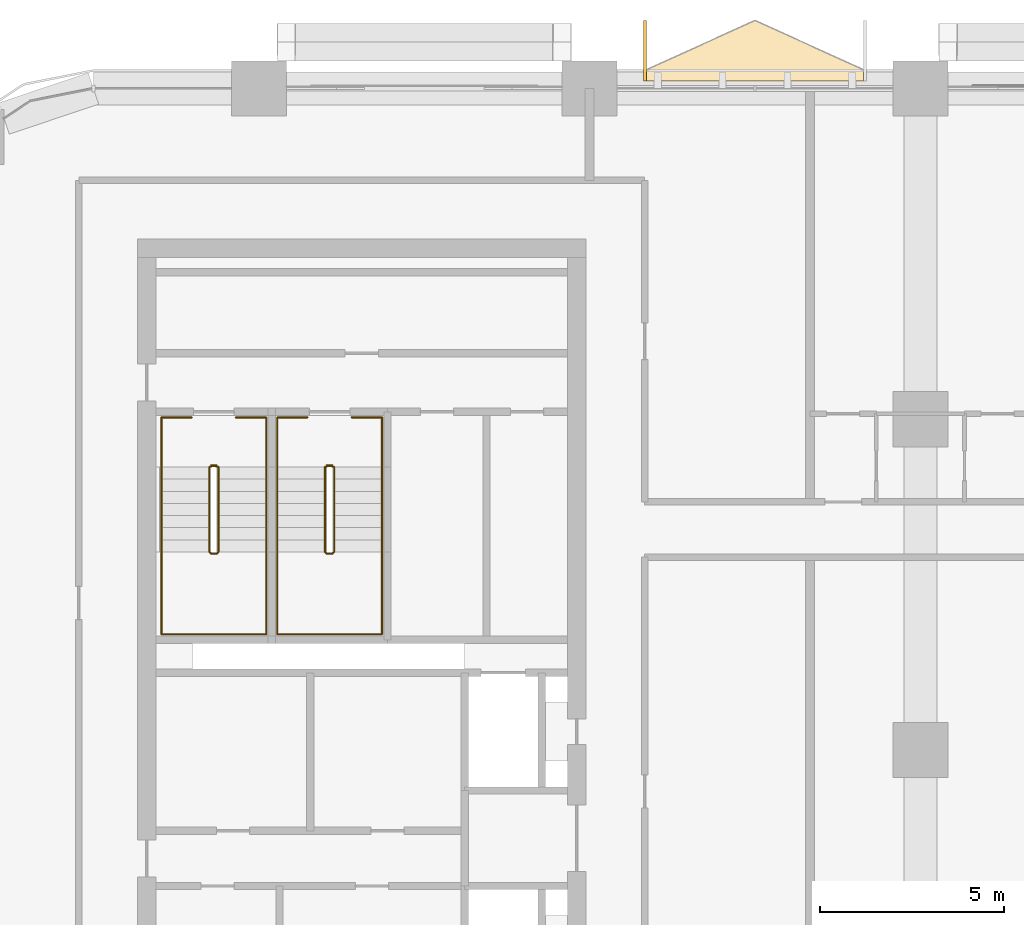
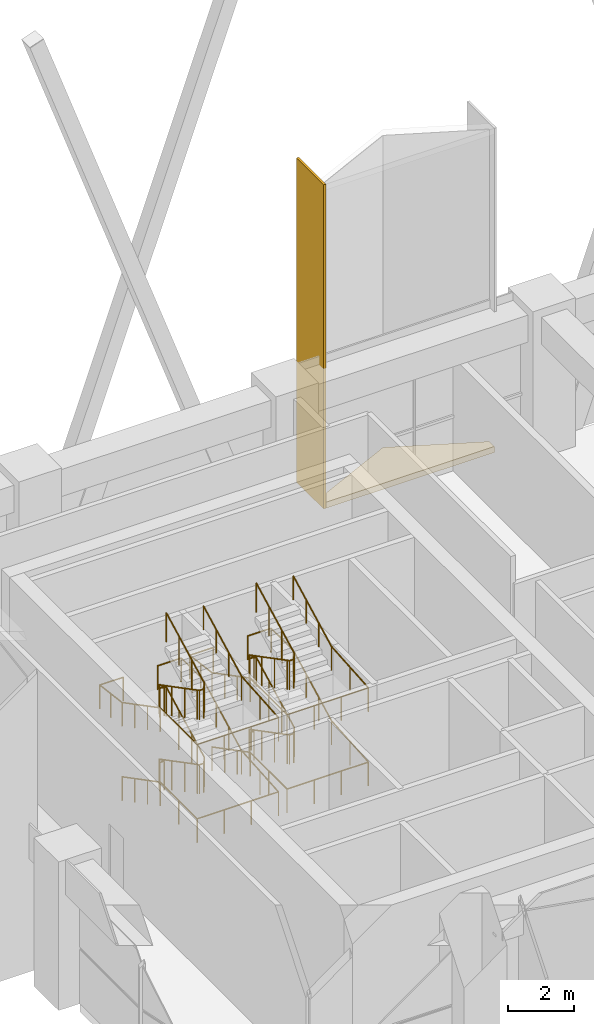
# One storey, part 20 of 22: 6 railings, 2 coverings.
"""IFC4 building model written with IfcOpenShell, lengths in metres."""

from ifc_helpers import new_model, si_unit, direction, frame, origin, origin_2d, place, context, subcontext, project, spatial, polyline, circle, outline, extrude, material, layer, layer_set, type_object, element, save


model = new_model("IFC4")

# Units and contexts
model_context = context("Model", 3, precision=1e-05, world=origin(), true_north=direction((0.0, 1.0)))
body_context = subcontext(model_context, "Body", "Model", "MODEL_VIEW")
ifc_project = project(units=[si_unit("LENGTHUNIT", "METRE"), si_unit("AREAUNIT", "SQUARE_METRE"), si_unit("VOLUMEUNIT", "CUBIC_METRE"), si_unit("PLANEANGLEUNIT", "RADIAN"), si_unit("MASSUNIT", "GRAM", prefix="KILO")], contexts=[model_context])

# Site, building, storey
site_placement = place(None, origin())
site = spatial("IfcSite", under=ifc_project, at=site_placement, CompositionType="ELEMENT")
building_placement = place(site_placement, origin())
building = spatial("IfcBuilding", under=site, at=building_placement, Name="Tessera Arch", CompositionType="ELEMENT")
storey_placement = place(building_placement, frame((0.0, 0.0, 129.39990234375)))
storey = spatial("IfcBuildingStorey", under=building, at=storey_placement, Name="L30", CompositionType="ELEMENT", Elevation=129.39990234375)

# Railings
ifc_material_1 = material(Name="Painted steel balustrade", Category="steel")
railing_type_1 = type_object("IfcRailingType", Name="Stair guard 1100", PredefinedType="GUARDRAIL", material=ifc_material_1)
railing_1_placement = place(storey_placement, frame((7.699951171875, 43.75, 0.0)))
element("IfcRailing", 1, at=railing_1_placement, inside=storey, type_object=railing_type_1, Name="L30 S2a stair guard 1", PredefinedType="GUARDRAIL", context=body_context, shape_type="SweptSolid", body=[
    extrude(circle(Radius=0.02392578125, at=origin_2d()), frame((-0.00390625, 0.0, 1.076171875), z_axis=(1.0, 0.0, 0.0), x_axis=(0.0, 1.0, 0.0)), (0.0, 0.0, 1.0), 0.158203125),
    extrude(circle(Radius=0.02392578125, at=origin_2d()), frame((0.153076171875, 0.000732421875, 1.073486328125), z_axis=(-0.745441916174, -0.186360479043, 0.6399891573), x_axis=(0.242535625036, -0.970142500145, 0.0)), (0.0, 0.0, 1.0), 0.276611328125),
    extrude(circle(Radius=0.02392578125, at=origin_2d()), frame((-0.050048828125, -0.04638671875, 1.24609375), z_axis=(0.0, -0.886918884468, 0.461925202141), x_axis=(1.0, 0.0, 0.0)), (0.0, 0.0, 1.0), 2.612548828125),
    extrude(circle(Radius=0.02392578125, at=origin_2d()), frame((-0.052978515625, -2.357177734375, 2.451171875), z_axis=(0.708833529934, -0.705375805398, 0.0), x_axis=(0.705375805398, 0.708833529934, 0.0)), (0.0, 0.0, 1.0), 0.07861328125),
    extrude(circle(Radius=0.02392578125, at=origin_2d()), frame((-0.00390625, -2.409912109375, 2.451171875), z_axis=(1.0, 0.0, 0.0), x_axis=(0.0, 1.0, 0.0)), (0.0, 0.0, 1.0), 0.158203125),
    extrude(circle(Radius=0.02392578125, at=origin_2d()), frame((0.149169921875, -2.410888671875, 2.447265625), z_axis=(0.268131537743, 0.268131537743, 0.92531667927), x_axis=(-0.707106781187, 0.707106781187, 0.0)), (0.0, 0.0, 1.0), 0.19384765625),
    extrude(circle(Radius=0.02392578125, at=origin_2d()), frame((0.199951171875, -2.36376953125, 2.62109375), z_axis=(0.0, 0.886918884468, 0.461925202141), x_axis=(-1.0, 0.0, 0.0)), (0.0, 0.0, 1.0), 2.612548828125),
    extrude(circle(Radius=0.02392578125, at=origin_2d()), frame((0.203857421875, -0.051025390625, 3.826171875), z_axis=(-0.970072785993, 0.242814311512, 0.0), x_axis=(-0.242814311512, -0.970072785993, 0.0)), (0.0, 0.0, 1.0), 0.214111328125),
    extrude(circle(Radius=0.02392578125, at=origin_2d()), frame((-0.00390625, 0.0, 3.826171875), z_axis=(1.0, 0.0, 0.0), x_axis=(0.0, 1.0, 0.0)), (0.0, 0.0, 1.0), 0.158203125),
    extrude(circle(Radius=0.02392578125, at=origin_2d()), frame((0.153076171875, 0.000732421875, 3.823486328125), z_axis=(-0.745441916174, -0.186360479043, 0.6399891573), x_axis=(0.242535625036, -0.970142500145, 0.0)), (0.0, 0.0, 1.0), 0.276611328125),
    extrude(circle(Radius=0.02392578125, at=origin_2d()), frame((-0.050048828125, -0.04638671875, 3.99609375), z_axis=(0.0, -0.886918884468, 0.461925202141), x_axis=(1.0, 0.0, 0.0)), (0.0, 0.0, 1.0), 2.612548828125),
    extrude(circle(Radius=0.02392578125, at=origin_2d()), frame((-0.052978515625, -2.357177734375, 5.201171875), z_axis=(0.708833529934, -0.705375805398, 0.0), x_axis=(0.705375805398, 0.708833529934, 0.0)), (0.0, 0.0, 1.0), 0.07861328125),
    extrude(circle(Radius=0.02392578125, at=origin_2d()), frame((-0.00390625, -2.409912109375, 5.201171875), z_axis=(1.0, 0.0, 0.0), x_axis=(0.0, 1.0, 0.0)), (0.0, 0.0, 1.0), 0.158203125),
    extrude(circle(Radius=0.02392578125, at=origin_2d()), frame((0.149169921875, -2.410888671875, 5.197265625), z_axis=(0.268131537743, 0.268131537743, 0.92531667927), x_axis=(-0.707106781187, 0.707106781187, 0.0)), (0.0, 0.0, 1.0), 0.19384765625),
    extrude(circle(Radius=0.02392578125, at=origin_2d()), frame((0.199951171875, -2.36376953125, 5.37109375), z_axis=(0.0, 0.886918884468, 0.461925202141), x_axis=(-1.0, 0.0, 0.0)), (0.0, 0.0, 1.0), 2.612548828125),
    extrude(circle(Radius=0.02099609375, at=origin_2d()), origin(), (0.0, 0.0, 1.0), 1.06396484375),
    extrude(circle(Radius=0.02099609375, at=origin_2d()), frame((0.150146484375, 0.0, 0.0)), (0.0, 0.0, 1.0), 1.06396484375),
    extrude(circle(Radius=0.02099609375, at=origin_2d()), frame((-0.050048828125, -0.050048828125, 0.171875)), (0.0, 0.0, 1.0), 1.06396484375),
    extrude(circle(Radius=0.02099609375, at=origin_2d()), frame((-0.050048828125, -0.820068359375, 0.572998046875)), (0.0, 0.0, 1.0), 1.06396484375),
    extrude(circle(Radius=0.02099609375, at=origin_2d()), frame((-0.050048828125, -1.590087890625, 0.973876953125)), (0.0, 0.0, 1.0), 1.06396484375),
    extrude(circle(Radius=0.02099609375, at=origin_2d()), frame((-0.050048828125, -2.360107421875, 1.375)), (0.0, 0.0, 1.0), 1.06396484375),
    extrude(circle(Radius=0.02099609375, at=origin_2d()), frame((0.0, -2.409912109375, 1.375)), (0.0, 0.0, 1.0), 1.06396484375),
    extrude(circle(Radius=0.02099609375, at=origin_2d()), frame((0.150146484375, -2.409912109375, 1.375)), (0.0, 0.0, 1.0), 1.06396484375),
    extrude(circle(Radius=0.02099609375, at=origin_2d()), frame((0.199951171875, -2.360107421875, 1.546875)), (0.0, 0.0, 1.0), 1.06396484375),
    extrude(circle(Radius=0.02099609375, at=origin_2d()), frame((0.199951171875, -1.590087890625, 1.947998046875)), (0.0, 0.0, 1.0), 1.06396484375),
    extrude(circle(Radius=0.02099609375, at=origin_2d()), frame((0.199951171875, -0.820068359375, 2.348876953125)), (0.0, 0.0, 1.0), 1.06396484375),
    extrude(circle(Radius=0.02099609375, at=origin_2d()), frame((0.199951171875, -0.050048828125, 2.75)), (0.0, 0.0, 1.0), 1.06396484375),
    extrude(circle(Radius=0.02099609375, at=origin_2d()), frame((0.0, 0.0, 2.75)), (0.0, 0.0, 1.0), 1.06396484375),
    extrude(circle(Radius=0.02099609375, at=origin_2d()), frame((0.150146484375, 0.0, 2.75)), (0.0, 0.0, 1.0), 1.06396484375),
    extrude(circle(Radius=0.02099609375, at=origin_2d()), frame((-0.050048828125, -0.050048828125, 2.921875)), (0.0, 0.0, 1.0), 1.06396484375),
    extrude(circle(Radius=0.02099609375, at=origin_2d()), frame((-0.050048828125, -0.820068359375, 3.322998046875)), (0.0, 0.0, 1.0), 1.06396484375),
    extrude(circle(Radius=0.02099609375, at=origin_2d()), frame((-0.050048828125, -1.590087890625, 3.723876953125)), (0.0, 0.0, 1.0), 1.06396484375),
    extrude(circle(Radius=0.02099609375, at=origin_2d()), frame((-0.050048828125, -2.360107421875, 4.125)), (0.0, 0.0, 1.0), 1.06396484375),
    extrude(circle(Radius=0.02099609375, at=origin_2d()), frame((0.0, -2.409912109375, 4.125)), (0.0, 0.0, 1.0), 1.06396484375),
    extrude(circle(Radius=0.02099609375, at=origin_2d()), frame((0.150146484375, -2.409912109375, 4.125)), (0.0, 0.0, 1.0), 1.06396484375),
    extrude(circle(Radius=0.02099609375, at=origin_2d()), frame((0.199951171875, -2.360107421875, 4.296875)), (0.0, 0.0, 1.0), 1.06396484375),
    extrude(circle(Radius=0.02099609375, at=origin_2d()), frame((0.199951171875, -1.590087890625, 4.697998046875)), (0.0, 0.0, 1.0), 1.06396484375),
    extrude(circle(Radius=0.02099609375, at=origin_2d()), frame((0.199951171875, -0.820068359375, 5.098876953125)), (0.0, 0.0, 1.0), 1.06396484375),
    extrude(circle(Radius=0.02099609375, at=origin_2d()), frame((0.199951171875, -0.050048828125, 5.5)), (0.0, 0.0, 1.0), 1.06396484375),
])
railing_2_placement = place(storey_placement, frame((10.85009765625, 43.75, 0.0)))
element("IfcRailing", 2, at=railing_2_placement, inside=storey, type_object=railing_type_1, Name="L30 S2b stair guard 1", PredefinedType="GUARDRAIL", context=body_context, shape_type="SweptSolid", body=[
    extrude(circle(Radius=0.02392578125, at=origin_2d()), frame((-0.00390625, 0.0, 1.076171875), z_axis=(1.0, 0.0, 0.0), x_axis=(0.0, 1.0, 0.0)), (0.0, 0.0, 1.0), 0.157958984375),
    extrude(circle(Radius=0.02392578125, at=origin_2d()), frame((0.15283203125, 0.000732421875, 1.073486328125), z_axis=(-0.745037588186, -0.186486819998, 0.640423030626), x_axis=(0.242814311512, -0.970072785993, 0.0)), (0.0, 0.0, 1.0), 0.2763671875),
    extrude(circle(Radius=0.02392578125, at=origin_2d()), frame((-0.050048828125, -0.04638671875, 1.24609375), z_axis=(0.0, -0.886918884468, 0.461925202141), x_axis=(1.0, 0.0, 0.0)), (0.0, 0.0, 1.0), 2.612548828125),
    extrude(circle(Radius=0.02392578125, at=origin_2d()), frame((-0.052978515625, -2.357177734375, 2.451171875), z_axis=(0.708833529934, -0.705375805398, 0.0), x_axis=(0.705375805398, 0.708833529934, 0.0)), (0.0, 0.0, 1.0), 0.07861328125),
    extrude(circle(Radius=0.02392578125, at=origin_2d()), frame((-0.00390625, -2.409912109375, 2.451171875), z_axis=(1.0, 0.0, 0.0), x_axis=(0.0, 1.0, 0.0)), (0.0, 0.0, 1.0), 0.157958984375),
    extrude(circle(Radius=0.02392578125, at=origin_2d()), frame((0.14892578125, -2.410888671875, 2.447265625), z_axis=(0.26935076646, 0.268036860282, 0.924989949209), x_axis=(-0.705375805398, 0.708833529934, 0.0)), (0.0, 0.0, 1.0), 0.19384765625),
    extrude(circle(Radius=0.02392578125, at=origin_2d()), frame((0.199951171875, -2.36376953125, 2.62109375), z_axis=(0.0, 0.886918884468, 0.461925202141), x_axis=(-1.0, 0.0, 0.0)), (0.0, 0.0, 1.0), 2.612548828125),
    extrude(circle(Radius=0.02392578125, at=origin_2d()), frame((0.203857421875, -0.051025390625, 3.826171875), z_axis=(-0.970072785993, 0.242814311512, 0.0), x_axis=(-0.242814311512, -0.970072785993, 0.0)), (0.0, 0.0, 1.0), 0.214111328125),
    extrude(circle(Radius=0.02392578125, at=origin_2d()), frame((-0.00390625, 0.0, 3.826171875), z_axis=(1.0, 0.0, 0.0), x_axis=(0.0, 1.0, 0.0)), (0.0, 0.0, 1.0), 0.157958984375),
    extrude(circle(Radius=0.02392578125, at=origin_2d()), frame((0.15283203125, 0.000732421875, 3.823486328125), z_axis=(-0.745037588186, -0.186486819998, 0.640423030626), x_axis=(0.242814311512, -0.970072785993, 0.0)), (0.0, 0.0, 1.0), 0.2763671875),
    extrude(circle(Radius=0.02392578125, at=origin_2d()), frame((-0.050048828125, -0.04638671875, 3.99609375), z_axis=(0.0, -0.886918884468, 0.461925202141), x_axis=(1.0, 0.0, 0.0)), (0.0, 0.0, 1.0), 2.612548828125),
    extrude(circle(Radius=0.02392578125, at=origin_2d()), frame((-0.052978515625, -2.357177734375, 5.201171875), z_axis=(0.708833529934, -0.705375805398, 0.0), x_axis=(0.705375805398, 0.708833529934, 0.0)), (0.0, 0.0, 1.0), 0.07861328125),
    extrude(circle(Radius=0.02392578125, at=origin_2d()), frame((-0.00390625, -2.409912109375, 5.201171875), z_axis=(1.0, 0.0, 0.0), x_axis=(0.0, 1.0, 0.0)), (0.0, 0.0, 1.0), 0.157958984375),
    extrude(circle(Radius=0.02392578125, at=origin_2d()), frame((0.14892578125, -2.410888671875, 5.197265625), z_axis=(0.26935076646, 0.268036860282, 0.924989949209), x_axis=(-0.705375805398, 0.708833529934, 0.0)), (0.0, 0.0, 1.0), 0.19384765625),
    extrude(circle(Radius=0.02392578125, at=origin_2d()), frame((0.199951171875, -2.36376953125, 5.37109375), z_axis=(0.0, 0.886918884468, 0.461925202141), x_axis=(-1.0, 0.0, 0.0)), (0.0, 0.0, 1.0), 2.612548828125),
    extrude(circle(Radius=0.02099609375, at=origin_2d()), origin(), (0.0, 0.0, 1.0), 1.06396484375),
    extrude(circle(Radius=0.02099609375, at=origin_2d()), frame((0.14990234375, 0.0, 0.0)), (0.0, 0.0, 1.0), 1.06396484375),
    extrude(circle(Radius=0.02099609375, at=origin_2d()), frame((-0.050048828125, -0.050048828125, 0.171875)), (0.0, 0.0, 1.0), 1.06396484375),
    extrude(circle(Radius=0.02099609375, at=origin_2d()), frame((-0.050048828125, -0.820068359375, 0.572998046875)), (0.0, 0.0, 1.0), 1.06396484375),
    extrude(circle(Radius=0.02099609375, at=origin_2d()), frame((-0.050048828125, -1.590087890625, 0.973876953125)), (0.0, 0.0, 1.0), 1.06396484375),
    extrude(circle(Radius=0.02099609375, at=origin_2d()), frame((-0.050048828125, -2.360107421875, 1.375)), (0.0, 0.0, 1.0), 1.06396484375),
    extrude(circle(Radius=0.02099609375, at=origin_2d()), frame((0.0, -2.409912109375, 1.375)), (0.0, 0.0, 1.0), 1.06396484375),
    extrude(circle(Radius=0.02099609375, at=origin_2d()), frame((0.14990234375, -2.409912109375, 1.375)), (0.0, 0.0, 1.0), 1.06396484375),
    extrude(circle(Radius=0.02099609375, at=origin_2d()), frame((0.199951171875, -2.360107421875, 1.546875)), (0.0, 0.0, 1.0), 1.06396484375),
    extrude(circle(Radius=0.02099609375, at=origin_2d()), frame((0.199951171875, -1.590087890625, 1.947998046875)), (0.0, 0.0, 1.0), 1.06396484375),
    extrude(circle(Radius=0.02099609375, at=origin_2d()), frame((0.199951171875, -0.820068359375, 2.348876953125)), (0.0, 0.0, 1.0), 1.06396484375),
    extrude(circle(Radius=0.02099609375, at=origin_2d()), frame((0.199951171875, -0.050048828125, 2.75)), (0.0, 0.0, 1.0), 1.06396484375),
    extrude(circle(Radius=0.02099609375, at=origin_2d()), frame((0.0, 0.0, 2.75)), (0.0, 0.0, 1.0), 1.06396484375),
    extrude(circle(Radius=0.02099609375, at=origin_2d()), frame((0.14990234375, 0.0, 2.75)), (0.0, 0.0, 1.0), 1.06396484375),
    extrude(circle(Radius=0.02099609375, at=origin_2d()), frame((-0.050048828125, -0.050048828125, 2.921875)), (0.0, 0.0, 1.0), 1.06396484375),
    extrude(circle(Radius=0.02099609375, at=origin_2d()), frame((-0.050048828125, -0.820068359375, 3.322998046875)), (0.0, 0.0, 1.0), 1.06396484375),
    extrude(circle(Radius=0.02099609375, at=origin_2d()), frame((-0.050048828125, -1.590087890625, 3.723876953125)), (0.0, 0.0, 1.0), 1.06396484375),
    extrude(circle(Radius=0.02099609375, at=origin_2d()), frame((-0.050048828125, -2.360107421875, 4.125)), (0.0, 0.0, 1.0), 1.06396484375),
    extrude(circle(Radius=0.02099609375, at=origin_2d()), frame((0.0, -2.409912109375, 4.125)), (0.0, 0.0, 1.0), 1.06396484375),
    extrude(circle(Radius=0.02099609375, at=origin_2d()), frame((0.14990234375, -2.409912109375, 4.125)), (0.0, 0.0, 1.0), 1.06396484375),
    extrude(circle(Radius=0.02099609375, at=origin_2d()), frame((0.199951171875, -2.360107421875, 4.296875)), (0.0, 0.0, 1.0), 1.06396484375),
    extrude(circle(Radius=0.02099609375, at=origin_2d()), frame((0.199951171875, -1.590087890625, 4.697998046875)), (0.0, 0.0, 1.0), 1.06396484375),
    extrude(circle(Radius=0.02099609375, at=origin_2d()), frame((0.199951171875, -0.820068359375, 5.098876953125)), (0.0, 0.0, 1.0), 1.06396484375),
    extrude(circle(Radius=0.02099609375, at=origin_2d()), frame((0.199951171875, -0.050048828125, 5.5)), (0.0, 0.0, 1.0), 1.06396484375),
])
ifc_material_2 = material(Name="Painted steel handrail", Category="steel")
railing_type_2 = type_object("IfcRailingType", Name="Stair handrail 900", PredefinedType="HANDRAIL", material=ifc_material_2)
railing_3_placement = place(storey_placement, frame((6.35009765625, 43.699951171875, 0.171875)))
element("IfcRailing", 3, at=railing_3_placement, inside=storey, type_object=railing_type_2, Name="L30 S2a stair handrail", PredefinedType="HANDRAIL", context=body_context, shape_type="SweptSolid", body=[
    extrude(circle(Radius=0.02392578125, at=origin_2d()), frame((0.0, 0.003662109375, 0.8740234375), z_axis=(0.0, -0.886918884468, 0.461925202141), x_axis=(1.0, 0.0, 0.0)), (0.0, 0.0, 1.0), 2.612548828125),
    extrude(circle(Radius=0.02392578125, at=origin_2d()), frame((0.0, -2.30615234375, 2.0791015625), z_axis=(0.0, -1.0, 0.0), x_axis=(1.0, 0.0, 0.0)), (0.0, 0.0, 1.0), 2.248046875),
    extrude(circle(Radius=0.02392578125, at=origin_2d()), frame((-0.00390625, -4.550048828125, 2.0791015625), z_axis=(1.0, 0.0, 0.0), x_axis=(0.0, 1.0, 0.0)), (0.0, 0.0, 1.0), 2.85791015625),
    extrude(circle(Radius=0.02392578125, at=origin_2d()), frame((2.849853515625, -4.553955078125, 2.07861328125), z_axis=(0.0, 0.997069169916, 0.076505361921), x_axis=(-1.0, 0.0, 0.0)), (0.0, 0.0, 1.0), 2.254638671875),
    extrude(circle(Radius=0.02392578125, at=origin_2d()), frame((2.849853515625, -2.313720703125, 2.2490234375), z_axis=(0.0, 0.886918884468, 0.461925202141), x_axis=(-1.0, 0.0, 0.0)), (0.0, 0.0, 1.0), 2.612548828125),
    extrude(circle(Radius=0.02392578125, at=origin_2d()), frame((2.849853515625, -0.00390625, 3.4541015625), z_axis=(0.0, 1.0, 0.0), x_axis=(-1.0, 0.0, 0.0)), (0.0, 0.0, 1.0), 1.358154296875),
    extrude(circle(Radius=0.02392578125, at=origin_2d()), frame((2.853759765625, 1.35009765625, 3.4541015625), z_axis=(-1.0, 0.0, 0.0), x_axis=(0.0, -1.0, 0.0)), (0.0, 0.0, 1.0), 0.8330078125),
    extrude(circle(Radius=0.02099609375, at=origin_2d()), origin(), (0.0, 0.0, 1.0), 0.86376953125),
    extrude(circle(Radius=0.02099609375, at=origin_2d()), frame((0.0, -0.77001953125, 0.401123046875)), (0.0, 0.0, 1.0), 0.86376953125),
    extrude(circle(Radius=0.02099609375, at=origin_2d()), frame((0.0, -1.5400390625, 0.802001953125)), (0.0, 0.0, 1.0), 0.86376953125),
    extrude(circle(Radius=0.02099609375, at=origin_2d()), frame((0.0, -2.31005859375, 1.203125)), (0.0, 0.0, 1.0), 0.86376953125),
    extrude(circle(Radius=0.02099609375, at=origin_2d()), frame((0.0, -3.43017578125, 1.203125)), (0.0, 0.0, 1.0), 0.86376953125),
    extrude(circle(Radius=0.02099609375, at=origin_2d()), frame((0.0, -4.550048828125, 1.203125)), (0.0, 0.0, 1.0), 0.86376953125),
    extrude(circle(Radius=0.02099609375, at=origin_2d()), frame((0.949951171875, -4.550048828125, 1.203125)), (0.0, 0.0, 1.0), 0.86376953125),
    extrude(circle(Radius=0.02099609375, at=origin_2d()), frame((1.89990234375, -4.550048828125, 1.203125)), (0.0, 0.0, 1.0), 0.86376953125),
    extrude(circle(Radius=0.02099609375, at=origin_2d()), frame((2.849853515625, -4.550048828125, 1.203125)), (0.0, 0.0, 1.0), 0.86376953125),
    extrude(circle(Radius=0.02099609375, at=origin_2d()), frame((2.849853515625, -3.43017578125, 1.2890625)), (0.0, 0.0, 1.0), 0.86376953125),
    extrude(circle(Radius=0.02099609375, at=origin_2d()), frame((2.849853515625, -2.31005859375, 1.375)), (0.0, 0.0, 1.0), 0.86376953125),
    extrude(circle(Radius=0.02099609375, at=origin_2d()), frame((2.849853515625, -1.5400390625, 1.776123046875)), (0.0, 0.0, 1.0), 0.86376953125),
    extrude(circle(Radius=0.02099609375, at=origin_2d()), frame((2.849853515625, -0.77001953125, 2.177001953125)), (0.0, 0.0, 1.0), 0.86376953125),
    extrude(circle(Radius=0.02099609375, at=origin_2d()), frame((2.849853515625, 0.0, 2.578125)), (0.0, 0.0, 1.0), 0.86376953125),
    extrude(circle(Radius=0.02099609375, at=origin_2d()), frame((2.849853515625, 0.675048828125, 2.578125)), (0.0, 0.0, 1.0), 0.86376953125),
    extrude(circle(Radius=0.02099609375, at=origin_2d()), frame((2.849853515625, 1.35009765625, 2.578125)), (0.0, 0.0, 1.0), 0.86376953125),
    extrude(circle(Radius=0.02099609375, at=origin_2d()), frame((2.02490234375, 1.35009765625, 2.578125)), (0.0, 0.0, 1.0), 0.86376953125),
])
railing_4_placement = place(storey_placement, frame((7.175048828125, 45.050048828125, 2.75)))
element("IfcRailing", 4, at=railing_4_placement, inside=storey, type_object=railing_type_2, Name="L30 S2a stair handrail 2", PredefinedType="HANDRAIL", context=body_context, shape_type="SweptSolid", body=[
    extrude(circle(Radius=0.02392578125, at=origin_2d()), frame((0.00390625, 0.0, 0.8759765625), z_axis=(-1.0, 0.0, 0.0), x_axis=(0.0, -1.0, 0.0)), (0.0, 0.0, 1.0), 0.8330078125),
    extrude(circle(Radius=0.02392578125, at=origin_2d()), frame((-0.824951171875, 0.00390625, 0.875244140625), z_axis=(0.0, -0.991993826337, 0.126286374998), x_axis=(1.0, 0.0, 0.0)), (0.0, 0.0, 1.0), 1.368896484375),
    extrude(circle(Radius=0.02392578125, at=origin_2d()), frame((-0.824951171875, -1.346435546875, 1.0458984375), z_axis=(0.0, -0.886918884468, 0.461925202141), x_axis=(1.0, 0.0, 0.0)), (0.0, 0.0, 1.0), 2.612548828125),
    extrude(circle(Radius=0.02392578125, at=origin_2d()), frame((-0.824951171875, -3.65625, 2.2509765625), z_axis=(0.0, -1.0, 0.0), x_axis=(1.0, 0.0, 0.0)), (0.0, 0.0, 1.0), 2.248046875),
    extrude(circle(Radius=0.02392578125, at=origin_2d()), frame((-0.828857421875, -5.900146484375, 2.2509765625), z_axis=(1.0, 0.0, 0.0), x_axis=(0.0, 1.0, 0.0)), (0.0, 0.0, 1.0), 2.85791015625),
    extrude(circle(Radius=0.02392578125, at=origin_2d()), frame((2.02490234375, -5.904052734375, 2.25048828125), z_axis=(0.0, 0.997069169916, 0.076505361921), x_axis=(-1.0, 0.0, 0.0)), (0.0, 0.0, 1.0), 2.254638671875),
    extrude(circle(Radius=0.02392578125, at=origin_2d()), frame((2.02490234375, -3.663818359375, 2.4208984375), z_axis=(0.0, 0.886918884468, 0.461925202141), x_axis=(-1.0, 0.0, 0.0)), (0.0, 0.0, 1.0), 2.612548828125),
    extrude(circle(Radius=0.02099609375, at=origin_2d()), origin(), (0.0, 0.0, 1.0), 0.86376953125),
    extrude(circle(Radius=0.02099609375, at=origin_2d()), frame((-0.824951171875, 0.0, 0.0)), (0.0, 0.0, 1.0), 0.86376953125),
    extrude(circle(Radius=0.02099609375, at=origin_2d()), frame((-0.824951171875, -0.675048828125, 0.0859375)), (0.0, 0.0, 1.0), 0.86376953125),
    extrude(circle(Radius=0.02099609375, at=origin_2d()), frame((-0.824951171875, -1.35009765625, 0.171875)), (0.0, 0.0, 1.0), 0.86376953125),
    extrude(circle(Radius=0.02099609375, at=origin_2d()), frame((-0.824951171875, -2.1201171875, 0.572998046875)), (0.0, 0.0, 1.0), 0.86376953125),
    extrude(circle(Radius=0.02099609375, at=origin_2d()), frame((-0.824951171875, -2.89013671875, 0.973876953125)), (0.0, 0.0, 1.0), 0.86376953125),
    extrude(circle(Radius=0.02099609375, at=origin_2d()), frame((-0.824951171875, -3.66015625, 1.375)), (0.0, 0.0, 1.0), 0.86376953125),
    extrude(circle(Radius=0.02099609375, at=origin_2d()), frame((-0.824951171875, -4.7802734375, 1.375)), (0.0, 0.0, 1.0), 0.86376953125),
    extrude(circle(Radius=0.02099609375, at=origin_2d()), frame((-0.824951171875, -5.900146484375, 1.375)), (0.0, 0.0, 1.0), 0.86376953125),
    extrude(circle(Radius=0.02099609375, at=origin_2d()), frame((0.125, -5.900146484375, 1.375)), (0.0, 0.0, 1.0), 0.86376953125),
    extrude(circle(Radius=0.02099609375, at=origin_2d()), frame((1.074951171875, -5.900146484375, 1.375)), (0.0, 0.0, 1.0), 0.86376953125),
    extrude(circle(Radius=0.02099609375, at=origin_2d()), frame((2.02490234375, -5.900146484375, 1.375)), (0.0, 0.0, 1.0), 0.86376953125),
    extrude(circle(Radius=0.02099609375, at=origin_2d()), frame((2.02490234375, -4.7802734375, 1.4609375)), (0.0, 0.0, 1.0), 0.86376953125),
    extrude(circle(Radius=0.02099609375, at=origin_2d()), frame((2.02490234375, -3.66015625, 1.546875)), (0.0, 0.0, 1.0), 0.86376953125),
    extrude(circle(Radius=0.02099609375, at=origin_2d()), frame((2.02490234375, -2.89013671875, 1.947998046875)), (0.0, 0.0, 1.0), 0.86376953125),
    extrude(circle(Radius=0.02099609375, at=origin_2d()), frame((2.02490234375, -2.1201171875, 2.348876953125)), (0.0, 0.0, 1.0), 0.86376953125),
    extrude(circle(Radius=0.02099609375, at=origin_2d()), frame((2.02490234375, -1.35009765625, 2.75)), (0.0, 0.0, 1.0), 0.86376953125),
])
railing_5_placement = place(storey_placement, frame((9.5, 43.699951171875, 0.171875)))
element("IfcRailing", 5, at=railing_5_placement, inside=storey, type_object=railing_type_2, Name="L30 S2b stair handrail", PredefinedType="HANDRAIL", context=body_context, shape_type="SweptSolid", body=[
    extrude(circle(Radius=0.02392578125, at=origin_2d()), frame((0.0, 0.003662109375, 0.8740234375), z_axis=(0.0, -0.886918884468, 0.461925202141), x_axis=(1.0, 0.0, 0.0)), (0.0, 0.0, 1.0), 2.612548828125),
    extrude(circle(Radius=0.02392578125, at=origin_2d()), frame((0.0, -2.30615234375, 2.0791015625), z_axis=(0.0, -1.0, 0.0), x_axis=(1.0, 0.0, 0.0)), (0.0, 0.0, 1.0), 2.248046875),
    extrude(circle(Radius=0.02392578125, at=origin_2d()), frame((-0.00390625, -4.550048828125, 2.0791015625), z_axis=(1.0, 0.0, 0.0), x_axis=(0.0, 1.0, 0.0)), (0.0, 0.0, 1.0), 2.858154296875),
    extrude(circle(Radius=0.02392578125, at=origin_2d()), frame((2.85009765625, -4.553955078125, 2.07861328125), z_axis=(0.0, 0.997069169916, 0.076505361921), x_axis=(-1.0, 0.0, 0.0)), (0.0, 0.0, 1.0), 2.254638671875),
    extrude(circle(Radius=0.02392578125, at=origin_2d()), frame((2.85009765625, -2.313720703125, 2.2490234375), z_axis=(0.0, 0.886918884468, 0.461925202141), x_axis=(-1.0, 0.0, 0.0)), (0.0, 0.0, 1.0), 2.612548828125),
    extrude(circle(Radius=0.02392578125, at=origin_2d()), frame((2.85009765625, -0.00390625, 3.4541015625), z_axis=(0.0, 1.0, 0.0), x_axis=(-1.0, 0.0, 0.0)), (0.0, 0.0, 1.0), 1.358154296875),
    extrude(circle(Radius=0.02392578125, at=origin_2d()), frame((2.85400390625, 1.35009765625, 3.4541015625), z_axis=(-1.0, 0.0, 0.0), x_axis=(0.0, -1.0, 0.0)), (0.0, 0.0, 1.0), 0.833251953125),
    extrude(circle(Radius=0.02099609375, at=origin_2d()), origin(), (0.0, 0.0, 1.0), 0.86376953125),
    extrude(circle(Radius=0.02099609375, at=origin_2d()), frame((0.0, -0.77001953125, 0.401123046875)), (0.0, 0.0, 1.0), 0.86376953125),
    extrude(circle(Radius=0.02099609375, at=origin_2d()), frame((0.0, -1.5400390625, 0.802001953125)), (0.0, 0.0, 1.0), 0.86376953125),
    extrude(circle(Radius=0.02099609375, at=origin_2d()), frame((0.0, -2.31005859375, 1.203125)), (0.0, 0.0, 1.0), 0.86376953125),
    extrude(circle(Radius=0.02099609375, at=origin_2d()), frame((0.0, -3.43017578125, 1.203125)), (0.0, 0.0, 1.0), 0.86376953125),
    extrude(circle(Radius=0.02099609375, at=origin_2d()), frame((0.0, -4.550048828125, 1.203125)), (0.0, 0.0, 1.0), 0.86376953125),
    extrude(circle(Radius=0.02099609375, at=origin_2d()), frame((0.949951171875, -4.550048828125, 1.203125)), (0.0, 0.0, 1.0), 0.86376953125),
    extrude(circle(Radius=0.02099609375, at=origin_2d()), frame((1.900146484375, -4.550048828125, 1.203125)), (0.0, 0.0, 1.0), 0.86376953125),
    extrude(circle(Radius=0.02099609375, at=origin_2d()), frame((2.85009765625, -4.550048828125, 1.203125)), (0.0, 0.0, 1.0), 0.86376953125),
    extrude(circle(Radius=0.02099609375, at=origin_2d()), frame((2.85009765625, -3.43017578125, 1.2890625)), (0.0, 0.0, 1.0), 0.86376953125),
    extrude(circle(Radius=0.02099609375, at=origin_2d()), frame((2.85009765625, -2.31005859375, 1.375)), (0.0, 0.0, 1.0), 0.86376953125),
    extrude(circle(Radius=0.02099609375, at=origin_2d()), frame((2.85009765625, -1.5400390625, 1.776123046875)), (0.0, 0.0, 1.0), 0.86376953125),
    extrude(circle(Radius=0.02099609375, at=origin_2d()), frame((2.85009765625, -0.77001953125, 2.177001953125)), (0.0, 0.0, 1.0), 0.86376953125),
    extrude(circle(Radius=0.02099609375, at=origin_2d()), frame((2.85009765625, 0.0, 2.578125)), (0.0, 0.0, 1.0), 0.86376953125),
    extrude(circle(Radius=0.02099609375, at=origin_2d()), frame((2.85009765625, 0.675048828125, 2.578125)), (0.0, 0.0, 1.0), 0.86376953125),
    extrude(circle(Radius=0.02099609375, at=origin_2d()), frame((2.85009765625, 1.35009765625, 2.578125)), (0.0, 0.0, 1.0), 0.86376953125),
    extrude(circle(Radius=0.02099609375, at=origin_2d()), frame((2.02490234375, 1.35009765625, 2.578125)), (0.0, 0.0, 1.0), 0.86376953125),
])
railing_6_placement = place(storey_placement, frame((10.324951171875, 45.050048828125, 2.75)))
element("IfcRailing", 6, at=railing_6_placement, inside=storey, type_object=railing_type_2, Name="L30 S2b stair handrail 2", PredefinedType="HANDRAIL", context=body_context, shape_type="SweptSolid", body=[
    extrude(circle(Radius=0.02392578125, at=origin_2d()), frame((0.00390625, 0.0, 0.8759765625), z_axis=(-1.0, 0.0, 0.0), x_axis=(0.0, -1.0, 0.0)), (0.0, 0.0, 1.0), 0.8330078125),
    extrude(circle(Radius=0.02392578125, at=origin_2d()), frame((-0.824951171875, 0.00390625, 0.875244140625), z_axis=(0.0, -0.991993826337, 0.126286374998), x_axis=(1.0, 0.0, 0.0)), (0.0, 0.0, 1.0), 1.368896484375),
    extrude(circle(Radius=0.02392578125, at=origin_2d()), frame((-0.824951171875, -1.346435546875, 1.0458984375), z_axis=(0.0, -0.886918884468, 0.461925202141), x_axis=(1.0, 0.0, 0.0)), (0.0, 0.0, 1.0), 2.612548828125),
    extrude(circle(Radius=0.02392578125, at=origin_2d()), frame((-0.824951171875, -3.65625, 2.2509765625), z_axis=(0.0, -1.0, 0.0), x_axis=(1.0, 0.0, 0.0)), (0.0, 0.0, 1.0), 2.248046875),
    extrude(circle(Radius=0.02392578125, at=origin_2d()), frame((-0.828857421875, -5.900146484375, 2.2509765625), z_axis=(1.0, 0.0, 0.0), x_axis=(0.0, 1.0, 0.0)), (0.0, 0.0, 1.0), 2.858154296875),
    extrude(circle(Radius=0.02392578125, at=origin_2d()), frame((2.025146484375, -5.904052734375, 2.25048828125), z_axis=(0.0, 0.997069169916, 0.076505361921), x_axis=(-1.0, 0.0, 0.0)), (0.0, 0.0, 1.0), 2.254638671875),
    extrude(circle(Radius=0.02392578125, at=origin_2d()), frame((2.025146484375, -3.663818359375, 2.4208984375), z_axis=(0.0, 0.886918884468, 0.461925202141), x_axis=(-1.0, 0.0, 0.0)), (0.0, 0.0, 1.0), 2.612548828125),
    extrude(circle(Radius=0.02099609375, at=origin_2d()), origin(), (0.0, 0.0, 1.0), 0.86376953125),
    extrude(circle(Radius=0.02099609375, at=origin_2d()), frame((-0.824951171875, 0.0, 0.0)), (0.0, 0.0, 1.0), 0.86376953125),
    extrude(circle(Radius=0.02099609375, at=origin_2d()), frame((-0.824951171875, -0.675048828125, 0.0859375)), (0.0, 0.0, 1.0), 0.86376953125),
    extrude(circle(Radius=0.02099609375, at=origin_2d()), frame((-0.824951171875, -1.35009765625, 0.171875)), (0.0, 0.0, 1.0), 0.86376953125),
    extrude(circle(Radius=0.02099609375, at=origin_2d()), frame((-0.824951171875, -2.1201171875, 0.572998046875)), (0.0, 0.0, 1.0), 0.86376953125),
    extrude(circle(Radius=0.02099609375, at=origin_2d()), frame((-0.824951171875, -2.89013671875, 0.973876953125)), (0.0, 0.0, 1.0), 0.86376953125),
    extrude(circle(Radius=0.02099609375, at=origin_2d()), frame((-0.824951171875, -3.66015625, 1.375)), (0.0, 0.0, 1.0), 0.86376953125),
    extrude(circle(Radius=0.02099609375, at=origin_2d()), frame((-0.824951171875, -4.7802734375, 1.375)), (0.0, 0.0, 1.0), 0.86376953125),
    extrude(circle(Radius=0.02099609375, at=origin_2d()), frame((-0.824951171875, -5.900146484375, 1.375)), (0.0, 0.0, 1.0), 0.86376953125),
    extrude(circle(Radius=0.02099609375, at=origin_2d()), frame((0.125, -5.900146484375, 1.375)), (0.0, 0.0, 1.0), 0.86376953125),
    extrude(circle(Radius=0.02099609375, at=origin_2d()), frame((1.0751953125, -5.900146484375, 1.375)), (0.0, 0.0, 1.0), 0.86376953125),
    extrude(circle(Radius=0.02099609375, at=origin_2d()), frame((2.025146484375, -5.900146484375, 1.375)), (0.0, 0.0, 1.0), 0.86376953125),
    extrude(circle(Radius=0.02099609375, at=origin_2d()), frame((2.025146484375, -4.7802734375, 1.4609375)), (0.0, 0.0, 1.0), 0.86376953125),
    extrude(circle(Radius=0.02099609375, at=origin_2d()), frame((2.025146484375, -3.66015625, 1.546875)), (0.0, 0.0, 1.0), 0.86376953125),
    extrude(circle(Radius=0.02099609375, at=origin_2d()), frame((2.025146484375, -2.89013671875, 1.947998046875)), (0.0, 0.0, 1.0), 0.86376953125),
    extrude(circle(Radius=0.02099609375, at=origin_2d()), frame((2.025146484375, -2.1201171875, 2.348876953125)), (0.0, 0.0, 1.0), 0.86376953125),
    extrude(circle(Radius=0.02099609375, at=origin_2d()), frame((2.025146484375, -1.35009765625, 2.75)), (0.0, 0.0, 1.0), 0.86376953125),
])

# Coverings
ifc_material_3 = material(Name="Anodised aluminium pale metal", Category="aluminium")
ifc_layer_1 = layer(ifc_material_3, 0.080078125)
ifc_layer_set_1 = layer_set([ifc_layer_1], Name="Window box cheek")
covering_type_1 = type_object("IfcCoveringType", Name="Window box cheek", PredefinedType="CLADDING", material=ifc_layer_set_1)
covering_1_placement = place(storey_placement, origin())
element("IfcCovering", 7, at=covering_1_placement, inside=storey, type_object=covering_type_1, Name="Window box N54.0/3.0 2x3 cheek", PredefinedType="CLADDING", context=body_context, shape_type="SweptSolid", body=[
    extrude(outline(polyline([(19.550048828125, 55.85009765625), (19.469970703125, 55.85009765625), (19.469970703125, 54.199951171875), (19.550048828125, 54.199951171875), (19.550048828125, 55.85009765625)])), origin(), (0.0, 0.0, 1.0), 12.0),
])
ifc_material_4 = material(Name="Anodised aluminium pale metal", Category="aluminium")
ifc_layer_2 = layer(ifc_material_4, 0.219970703125)
ifc_layer_set_2 = layer_set([ifc_layer_2], Name="Window box frame plate pale metal")
covering_type_2 = type_object("IfcCoveringType", Name="Window box frame plate pale metal", PredefinedType="CLADDING", material=ifc_layer_set_2)
covering_2_placement = place(storey_placement, origin())
element("IfcCovering", 8, at=covering_2_placement, inside=storey, type_object=covering_type_2, Name="Window box N54.0/3.0 2x3 floor", PredefinedType="CLADDING", context=body_context, shape_type="SweptSolid", body=[
    extrude(outline(polyline([(25.449951171875, 54.510009765625), (22.5, 55.85009765625), (19.550048828125, 54.510009765625), (19.550048828125, 54.199951171875), (25.449951171875, 54.199951171875), (25.449951171875, 54.510009765625)])), origin(), (0.0, 0.0, 1.0), 0.22021484375),
])

save(model, "model.ifc")
